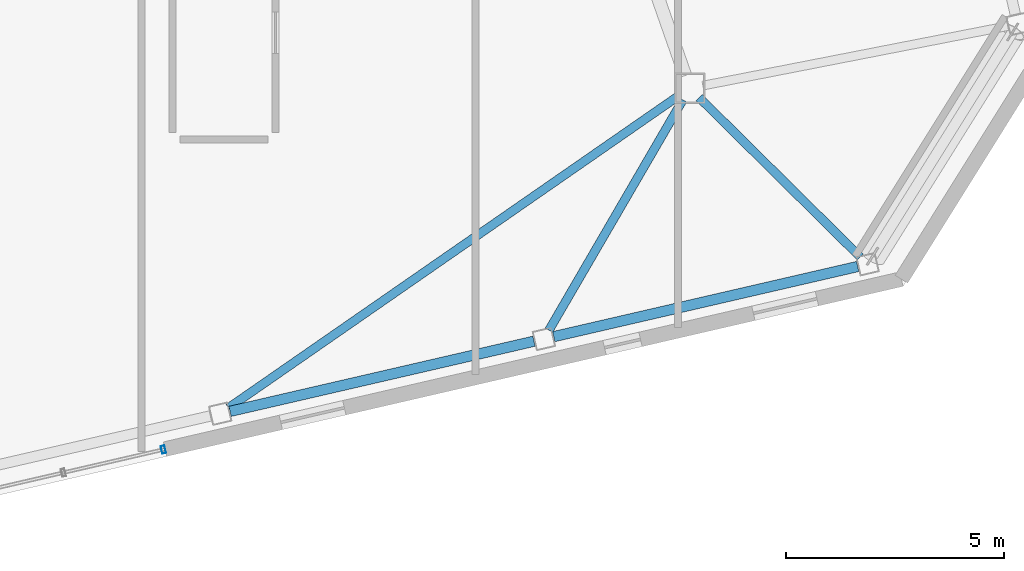
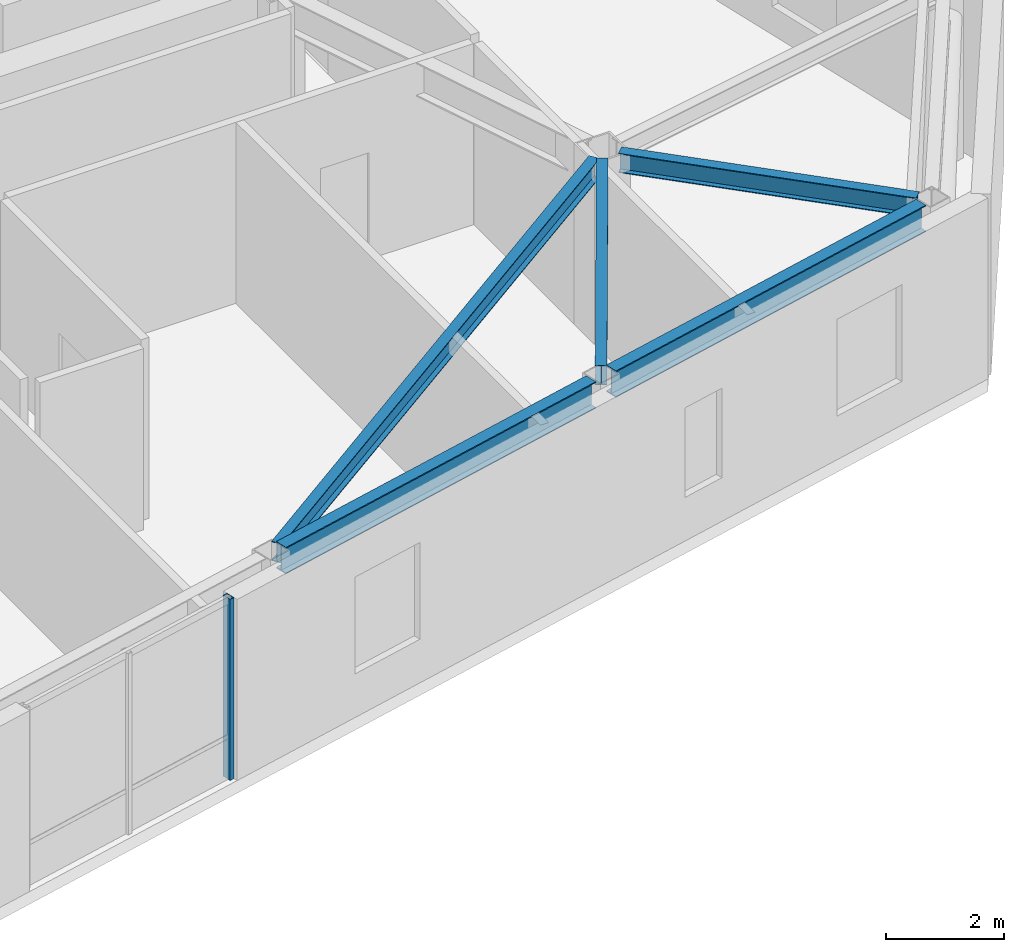
# One storey, part 11 of 24: 5 beams, 1 member, 1 element without a shape of its own.
"""IFC4 building model written with IfcOpenShell, lengths in metres."""

from ifc_helpers import new_model, si_unit, direction, frame, origin, origin_2d, place, context, subcontext, project, spatial, hollow_rectangle, i_section, extrude, material, layer, layer_set, material_profile, profile_set, type_object, element, aggregate, save


model = new_model("IFC4")

# Units and contexts
model_context = context("Model", 3, precision=1e-05, world=origin(), true_north=direction((0.0, 1.0)))
body_context = subcontext(model_context, "Body", "Model", "MODEL_VIEW")
ifc_project = project(units=[si_unit("LENGTHUNIT", "METRE"), si_unit("AREAUNIT", "SQUARE_METRE"), si_unit("VOLUMEUNIT", "CUBIC_METRE"), si_unit("PLANEANGLEUNIT", "RADIAN"), si_unit("MASSUNIT", "GRAM", prefix="KILO")], contexts=[model_context])

# Site, building, storey
site_placement = place(None, origin())
site = spatial("IfcSite", under=ifc_project, at=site_placement, CompositionType="ELEMENT")
building_placement = place(site_placement, origin())
building = spatial("IfcBuilding", under=site, at=building_placement, Name="Tavrogorsk Clinical Tower", CompositionType="ELEMENT")
storey_placement = place(building_placement, frame((0.0, 0.0, 309.0)))
storey = spatial("IfcBuildingStorey", under=building, at=storey_placement, Name="L72", CompositionType="ELEMENT", Elevation=309.0)

# Curtain wall, member
ifc_material_1 = material(Name="Anodised aluminium and triple IGU glazing", Category="aluminium")
ifc_layer = layer(ifc_material_1, 0.179931640625)
ifc_layer_set = layer_set([ifc_layer], Name="Anodised aluminium and triple IGU glazing")
curtain_wall_type = type_object("IfcCurtainWallType", Name="CW3_SouthSlot", PredefinedType="NOTDEFINED", material=ifc_layer_set)
curtain_wall_placement = place(storey_placement, origin())
curtain_wall = element("IfcCurtainWall", 1, at=curtain_wall_placement, inside=storey, type_object=curtain_wall_type, Name="L72 Curtain Wall CW-L72-S-SLOT-2", PredefinedType="NOTDEFINED")
ifc_material_2 = material(Name="Anodised aluminium alloy AW-6060", Category="aluminium")
ifc_material_profile_1 = material_profile(ifc_material_2, hollow_rectangle(XDim=0.090087890625, YDim=0.179931640625, WallThickness=0.00634765625, at=origin_2d()), Name="RHS-180x90x6.3")
ifc_profile_set_1 = profile_set([ifc_material_profile_1], Name="Anodised aluminium alloy AW-6060")
member_type = type_object("IfcMemberType", Name="CwMullion_180x90", PredefinedType="MULLION", material=ifc_profile_set_1)
member_placement = place(storey_placement, frame((12.4052734375, -21.504638671875, 0.0), z_axis=(0.0, 0.0, 1.0), x_axis=(0.974370057377, 0.224951086434, 0.0)))
member = element("IfcMember", 2, at=member_placement, type_object=member_type, Name="CW-L72-S-SLOT-2 Mullion 3", PredefinedType="MULLION", context=body_context, shape_type="SweptSolid", body=[
    extrude(hollow_rectangle(XDim=0.090087890625, YDim=0.179931640625, WallThickness=0.00634765625, at=origin_2d()), origin(), (0.0, 0.0, 1.0), 3.739990234375),
])
aggregate(curtain_wall, [member])

# Beams
ifc_material_3 = material(Name="Structural steel S355", Category="steel")
ifc_material_profile_2 = material_profile(ifc_material_3, i_section(OverallWidth=0.199951171875, OverallDepth=0.39990234375, WebThickness=0.010498046875, FlangeThickness=0.01611328125, at=origin_2d()), Name="B-400x200x10.5x16")
ifc_profile_set_2 = profile_set([ifc_material_profile_2], Name="Structural steel S355")
beam_type_1 = type_object("IfcBeamType", Name="FloorBeam_B400", PredefinedType="BEAM", material=ifc_profile_set_2)
beam_1_placement = place(storey_placement, frame((24.245361328125, -13.376708984375, 3.5400390625), z_axis=(-0.821821874963, -0.56974450926, 0.0), x_axis=(0.56974450926, -0.821821874963, 0.0)))
element("IfcBeam", 3, at=beam_1_placement, inside=storey, type_object=beam_type_1, Name="L72 Radial Floor Beam S6", PredefinedType="BEAM", context=body_context, shape_type="SweptSolid", body=[
    extrude(i_section(OverallWidth=0.199951171875, OverallDepth=0.39990234375, WebThickness=0.010498046875, FlangeThickness=0.01611328125, at=origin_2d()), origin(), (0.0, 0.0, 1.0), 12.5849609375),
])
beam_2_placement = place(storey_placement, frame((24.34423828125, -13.468017578125, 3.5400390625), z_axis=(-0.50260105099, -0.864518469174, 0.0), x_axis=(0.864518469174, -0.50260105099, 0.0)))
element("IfcBeam", 4, at=beam_2_placement, inside=storey, type_object=beam_type_1, Name="L72 Radial Floor Beam S7", PredefinedType="BEAM", context=body_context, shape_type="SweptSolid", body=[
    extrude(i_section(OverallWidth=0.199951171875, OverallDepth=0.39990234375, WebThickness=0.010498046875, FlangeThickness=0.01611328125, at=origin_2d()), origin(), (0.0, 0.0, 1.0), 6.12255859375),
])
beam_3_placement = place(storey_placement, frame((24.720458984375, -13.41796875, 3.5400390625), z_axis=(0.710870207436, -0.703323217433, 0.0), x_axis=(0.703323217433, 0.710870207436, 0.0)))
element("IfcBeam", 5, at=beam_3_placement, inside=storey, type_object=beam_type_1, Name="L72 Radial Floor Beam S8", PredefinedType="BEAM", context=body_context, shape_type="SweptSolid", body=[
    extrude(i_section(OverallWidth=0.199951171875, OverallDepth=0.39990234375, WebThickness=0.010498046875, FlangeThickness=0.01611328125, at=origin_2d()), origin(), (0.0, 0.0, 1.0), 5.208251953125),
])
ifc_material_4 = material(Name="Structural steel S390", Category="steel")
ifc_material_profile_3 = material_profile(ifc_material_4, i_section(OverallWidth=0.239990234375, OverallDepth=0.550048828125, WebThickness=0.013916015625, FlangeThickness=0.02197265625, at=origin_2d()), Name="B-550x240x14x22")
ifc_profile_set_3 = profile_set([ifc_material_profile_3], Name="Structural steel S390")
beam_type_2 = type_object("IfcBeamType", Name="SpandrelBeam_B550", PredefinedType="SPANDREL", material=ifc_profile_set_3)
for number, where, z_axis, x_axis, name in (
    (6, (13.938232421875, -20.627197265625, 3.465087890625), (0.974369378592, 0.224954026551, 0.0), (-0.224954026551, 0.974369378592, 0.0), "L72 Perimeter Spandrel S6-S7"),
    (7, (21.376953125, -18.909912109375, 3.465087890625), (0.974369378592, 0.224954026551, 0.0), (-0.224954026551, 0.974369378592, 0.0), "L72 Perimeter Spandrel S7-S8"),
):
    element("IfcBeam", number, at=place(storey_placement, frame(where, z_axis=z_axis, x_axis=x_axis)), inside=storey, type_object=beam_type_2, Name=name, PredefinedType="SPANDREL", context=body_context, shape_type="SweptSolid", body=[
        extrude(i_section(OverallWidth=0.239990234375, OverallDepth=0.550048828125, WebThickness=0.013916015625, FlangeThickness=0.02197265625, at=origin_2d()), origin(), (0.0, 0.0, 1.0), 7.16845703125),
    ])

save(model, "model.ifc")
